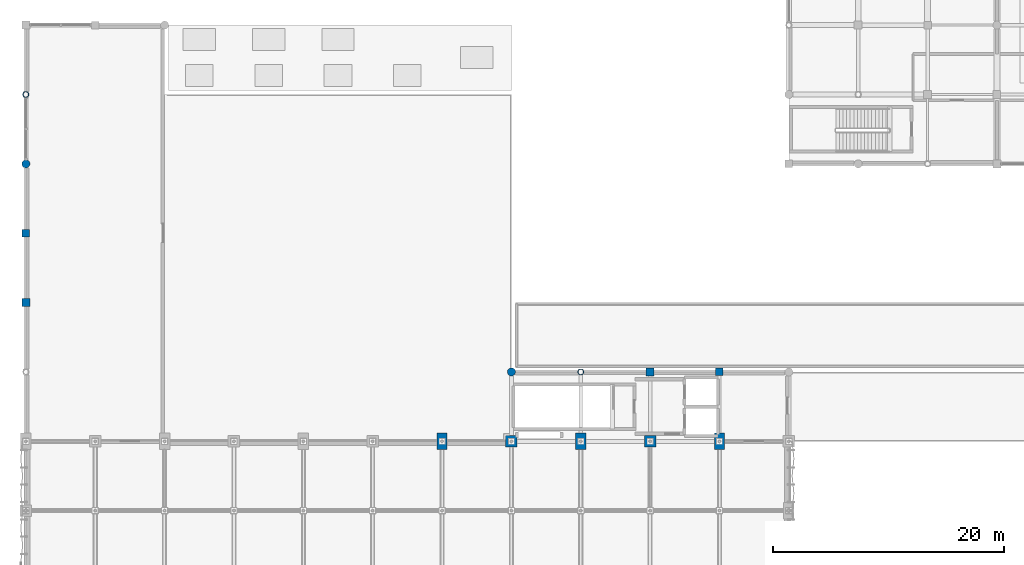
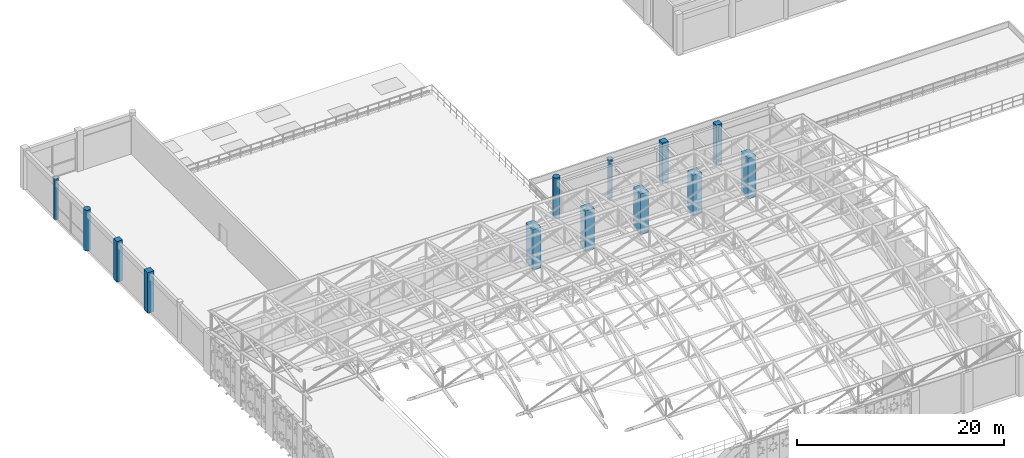
# One storey, part 7 of 112: 13 columns.
"""IFC4 building model written with IfcOpenShell, lengths in metres."""

from ifc_helpers import new_model, si_unit, direction, frame, origin, origin_2d, place, context, subcontext, project, spatial, rectangle, circle, hollow_circle, extrude, material, material_profile, profile_set, type_object, element, save


model = new_model("IFC4")

# Units and contexts
model_context = context("Model", 3, precision=1e-05, world=origin(), true_north=direction((0.0, 1.0)))
body_context = subcontext(model_context, "Body", "Model", "MODEL_VIEW")
ifc_project = project(units=[si_unit("LENGTHUNIT", "METRE"), si_unit("AREAUNIT", "SQUARE_METRE"), si_unit("VOLUMEUNIT", "CUBIC_METRE"), si_unit("PLANEANGLEUNIT", "RADIAN"), si_unit("MASSUNIT", "GRAM", prefix="KILO"), si_unit("THERMODYNAMICTEMPERATUREUNIT", "KELVIN"), si_unit("POWERUNIT", "WATT")], contexts=[model_context])

# Site, building, storey
site_placement = place(None, origin())
site = spatial("IfcSite", under=ifc_project, at=site_placement, CompositionType="ELEMENT")
building_placement = place(site_placement, origin())
building = spatial("IfcBuilding", under=site, at=building_placement, Name="Phaisarnlok Congress Hotel", CompositionType="ELEMENT")
storey_placement = place(building_placement, frame((0.0, 0.0, 19.800048828125)))
storey = spatial("IfcBuildingStorey", under=building, at=storey_placement, Name="L04", CompositionType="ELEMENT", Elevation=19.800048828125)

# Columns
ifc_material_1 = material(Name="Concrete C50/60", Category="concrete")
ifc_material_profile_1 = material_profile(ifc_material_1, rectangle(XDim=1.0, YDim=1.0, at=origin_2d()), Name="RC 1000x1000")
ifc_profile_set_1 = profile_set([ifc_material_profile_1], Name="Concrete C50/60")
column_type_1 = type_object("IfcColumnType", Name="COL-RC-1000", PredefinedType="COLUMN", material=ifc_profile_set_1)
for number, where, z_axis, x_axis, name in (
    (1, (42.0, 84.0, 0.0), (0.0, 0.0, 1.0), (1.0, 0.0, 0.0), "Column C-09 (L04)"),
    (2, (54.0, 84.0, 0.0), (0.0, 0.0, 1.0), (1.0, 0.0, 0.0), "Column C-09 (L04)"),
):
    element("IfcColumn", number, at=place(storey_placement, frame(where, z_axis=z_axis, x_axis=x_axis)), inside=storey, type_object=column_type_1, Name=name, PredefinedType="COLUMN", context=body_context, shape_type="SweptSolid", body=[
        extrude(rectangle(XDim=1.0, YDim=1.0, at=origin_2d()), origin(), (0.0, 0.0, 1.0), 4.800048828125),
    ])
ifc_material_profile_2 = material_profile(ifc_material_1, rectangle(XDim=0.64990234375, YDim=0.64990234375, at=origin_2d()), Name="RC 650x650")
ifc_profile_set_2 = profile_set([ifc_material_profile_2], Name="Concrete C50/60")
column_type_2 = type_object("IfcColumnType", Name="COL-RC-650", PredefinedType="COLUMN", material=ifc_profile_set_2)
column_1_placement = place(storey_placement, frame((60.0, 90.0, 0.0), z_axis=(0.0, 0.0, 1.0), x_axis=(1.0, 0.0, 0.0)))
element("IfcColumn", 3, at=column_1_placement, inside=storey, type_object=column_type_2, Name="Column C-04 (L04)", PredefinedType="COLUMN", context=body_context, shape_type="SweptSolid", body=[
    extrude(rectangle(XDim=0.64990234375, YDim=0.64990234375, at=origin_2d()), origin(), (0.0, 0.0, 1.0), 4.800048828125),
])
ifc_material_profile_3 = material_profile(ifc_material_1, rectangle(XDim=0.64990234375, YDim=0.64990234375, at=origin_2d()), Name="RC 650x650")
ifc_profile_set_3 = profile_set([ifc_material_profile_3], Name="Concrete C50/60")
column_type_3 = type_object("IfcColumnType", Name="COL-RC-650-EXT", PredefinedType="COLUMN", material=ifc_profile_set_3)
column_2_placement = place(storey_placement, frame((0.0, 102.0, 0.0), z_axis=(0.0, 0.0, 1.0), x_axis=(1.0, 0.0, 0.0)))
element("IfcColumn", 4, at=column_2_placement, inside=storey, type_object=column_type_3, Name="Column C-04E (L04)", PredefinedType="COLUMN", context=body_context, shape_type="SweptSolid", body=[
    extrude(rectangle(XDim=0.64990234375, YDim=0.64990234375, at=origin_2d()), origin(), (0.0, 0.0, 1.0), 4.800048828125),
])
ifc_material_profile_4 = material_profile(ifc_material_1, rectangle(XDim=0.699951171875, YDim=0.699951171875, at=origin_2d()), Name="RC 700x700")
ifc_profile_set_4 = profile_set([ifc_material_profile_4], Name="Concrete C50/60")
column_type_4 = type_object("IfcColumnType", Name="COL-RC-700", PredefinedType="COLUMN", material=ifc_profile_set_4)
column_3_placement = place(storey_placement, frame((54.0, 90.0, 0.0), z_axis=(0.0, 0.0, 1.0), x_axis=(1.0, 0.0, 0.0)))
element("IfcColumn", 5, at=column_3_placement, inside=storey, type_object=column_type_4, Name="Column C-05 (L04)", PredefinedType="COLUMN", context=body_context, shape_type="SweptSolid", body=[
    extrude(rectangle(XDim=0.699951171875, YDim=0.699951171875, at=origin_2d()), origin(), (0.0, 0.0, 1.0), 4.800048828125),
])
ifc_material_profile_5 = material_profile(ifc_material_1, rectangle(XDim=0.699951171875, YDim=0.699951171875, at=origin_2d()), Name="RC 700x700")
ifc_profile_set_5 = profile_set([ifc_material_profile_5], Name="Concrete C50/60")
column_type_5 = type_object("IfcColumnType", Name="COL-RC-700-EXT", PredefinedType="COLUMN", material=ifc_profile_set_5)
column_4_placement = place(storey_placement, frame((0.0, 96.0, 0.0), z_axis=(0.0, 0.0, 1.0), x_axis=(1.0, 0.0, 0.0)))
element("IfcColumn", 6, at=column_4_placement, inside=storey, type_object=column_type_5, Name="Column C-05E (L04)", PredefinedType="COLUMN", context=body_context, shape_type="SweptSolid", body=[
    extrude(rectangle(XDim=0.699951171875, YDim=0.699951171875, at=origin_2d()), origin(), (0.0, 0.0, 1.0), 4.800048828125),
])
ifc_material_profile_6 = material_profile(ifc_material_1, rectangle(XDim=0.89990234375, YDim=1.39990234375, at=origin_2d()), Name="RC 900x1400")
ifc_profile_set_6 = profile_set([ifc_material_profile_6], Name="Concrete C50/60")
column_type_6 = type_object("IfcColumnType", Name="COL-RC-900x1400", PredefinedType="COLUMN", material=ifc_profile_set_6)
for number, where, z_axis, x_axis, name in (
    (7, (36.0, 84.0, 0.0), (0.0, 0.0, 1.0), (1.0, 0.0, 0.0), "Column C-12 (L04)"),
    (8, (48.0, 84.0, 0.0), (0.0, 0.0, 1.0), (1.0, 0.0, 0.0), "Column C-12 (L04)"),
    (9, (60.0, 84.0, 0.0), (0.0, 0.0, 1.0), (1.0, 0.0, 0.0), "Column C-12 (L04)"),
):
    element("IfcColumn", number, at=place(storey_placement, frame(where, z_axis=z_axis, x_axis=x_axis)), inside=storey, type_object=column_type_6, Name=name, PredefinedType="COLUMN", context=body_context, shape_type="SweptSolid", body=[
        extrude(rectangle(XDim=0.89990234375, YDim=1.39990234375, at=origin_2d()), origin(), (0.0, 0.0, 1.0), 4.800048828125),
    ])
ifc_material_profile_7 = material_profile(ifc_material_1, circle(Radius=0.35009765625, at=origin_2d()), Name="RCC D700")
ifc_profile_set_7 = profile_set([ifc_material_profile_7], Name="Concrete C50/60")
column_type_7 = type_object("IfcColumnType", Name="COL-RCC-700", PredefinedType="COLUMN", material=ifc_profile_set_7)
column_5_placement = place(storey_placement, frame((42.0, 90.0, 0.0), z_axis=(0.0, 0.0, 1.0), x_axis=(1.0, 0.0, 0.0)))
element("IfcColumn", 10, at=column_5_placement, inside=storey, type_object=column_type_7, Name="Column C-13 (L04)", PredefinedType="COLUMN", context=body_context, shape_type="SweptSolid", body=[
    extrude(circle(Radius=0.35009765625, at=origin_2d()), origin(), (0.0, 0.0, 1.0), 4.800048828125),
])
ifc_material_profile_8 = material_profile(ifc_material_1, circle(Radius=0.35009765625, at=origin_2d()), Name="RCC D700")
ifc_profile_set_8 = profile_set([ifc_material_profile_8], Name="Concrete C50/60")
column_type_8 = type_object("IfcColumnType", Name="COL-RCC-700-EXT", PredefinedType="COLUMN", material=ifc_profile_set_8)
column_6_placement = place(storey_placement, frame((0.0, 108.0, 0.0), z_axis=(0.0, 0.0, 1.0), x_axis=(1.0, 0.0, 0.0)))
element("IfcColumn", 11, at=column_6_placement, inside=storey, type_object=column_type_8, Name="Column C-13E (L04)", PredefinedType="COLUMN", context=body_context, shape_type="SweptSolid", body=[
    extrude(circle(Radius=0.35009765625, at=origin_2d()), origin(), (0.0, 0.0, 1.0), 4.800048828125),
])
ifc_material_2 = material(Name="Steel S355", Category="steel")
ifc_material_profile_9 = material_profile(ifc_material_2, hollow_circle(Radius=0.25390625, WallThickness=0.02490234375, at=origin_2d()), Name="CHS 508x25")
ifc_profile_set_9 = profile_set([ifc_material_profile_9], Name="Steel S355")
column_type_9 = type_object("IfcColumnType", Name="COL-STL-CHS508", PredefinedType="COLUMN", material=ifc_profile_set_9)
column_7_placement = place(storey_placement, frame((48.0, 90.0, 0.0), z_axis=(0.0, 0.0, 1.0), x_axis=(1.0, 0.0, 0.0)))
element("IfcColumn", 12, at=column_7_placement, inside=storey, type_object=column_type_9, Name="Column SC-03 (L04)", PredefinedType="COLUMN", context=body_context, shape_type="SweptSolid", body=[
    extrude(hollow_circle(Radius=0.25390625, WallThickness=0.02490234375, at=origin_2d()), origin(), (0.0, 0.0, 1.0), 4.800048828125),
])
ifc_material_profile_10 = material_profile(ifc_material_2, hollow_circle(Radius=0.25390625, WallThickness=0.02490234375, at=origin_2d()), Name="CHS 508x25")
ifc_profile_set_10 = profile_set([ifc_material_profile_10], Name="Steel S355")
column_type_10 = type_object("IfcColumnType", Name="COL-STL-CHS508-EXT", PredefinedType="COLUMN", material=ifc_profile_set_10)
column_8_placement = place(storey_placement, frame((0.0, 114.0, 0.0), z_axis=(0.0, 0.0, 1.0), x_axis=(1.0, 0.0, 0.0)))
element("IfcColumn", 13, at=column_8_placement, inside=storey, type_object=column_type_10, Name="Column SC-03E (L04)", PredefinedType="COLUMN", context=body_context, shape_type="SweptSolid", body=[
    extrude(hollow_circle(Radius=0.25390625, WallThickness=0.02490234375, at=origin_2d()), origin(), (0.0, 0.0, 1.0), 4.800048828125),
])

save(model, "model.ifc")
